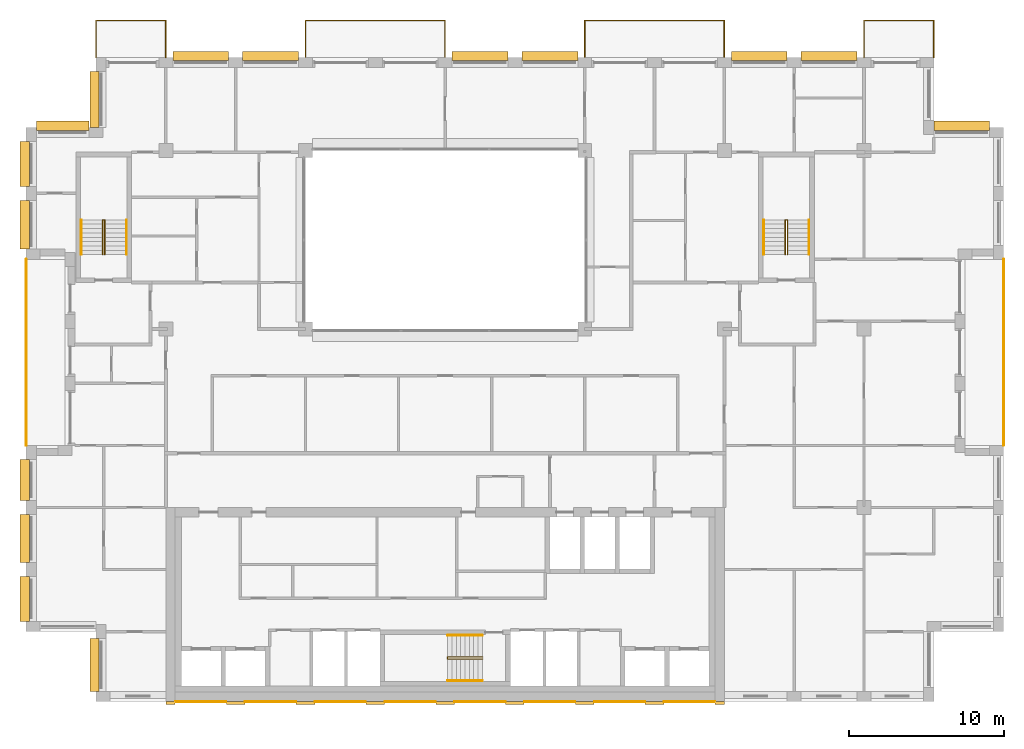
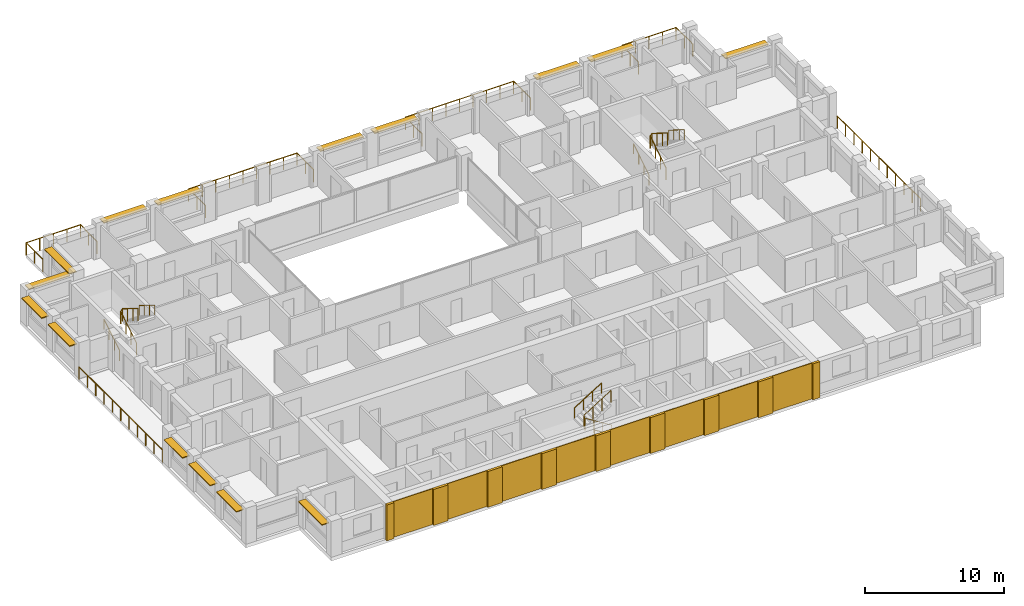
# One storey, part 16 of 16: 17 coverings, 15 railings, 15 shading devices.
"""IFC4 building model written with IfcOpenShell, lengths in metres."""

import ifcopenshell
import ifcopenshell.guid

model = None  # the IFC model being written
_history = None  # IfcOwnerHistory: only IFC2X3 demands one
_inside = {}  # id of a spatial element -> (the spatial element, [elements in it])
_under = {}  # id of a project, library or spatial element -> (it, [spatial elements below it])
_declared = {}  # id of a project -> (the project, [libraries it declares])
_typed = {}  # id of a type object -> (the type object, [elements of that type])
_made_of = {}  # id of a material, layer set ... -> (it, [elements and type objects made of it])


def new_model(schema):
    """Start an empty IFC model of exactly this schema.

    Asked for "IFC4X3", IfcOpenShell would pick the latest addendum, in which some entities
    have other attributes; the version numbers below select the first issue.
    IFC2X3 requires an IfcOwnerHistory on every rooted entity: one is made here for all.
    """
    global model, _history
    if schema == "IFC4X3":
        model = ifcopenshell.file(schema_version=(4, 3, 0, 0))
    else:
        model = ifcopenshell.file(schema=schema)
    _inside.clear()
    _under.clear()
    _declared.clear()
    _typed.clear()
    _made_of.clear()
    _history = None
    if model.schema == "IFC2X3":
        org = make("IfcOrganization", Name="unknown")
        user = make(
            "IfcPersonAndOrganization",
            ThePerson=make("IfcPerson", FamilyName="unknown"),
            TheOrganization=org,
        )
        app = make(
            "IfcApplication",
            ApplicationDeveloper=org,
            Version="unknown",
            ApplicationFullName="unknown",
            ApplicationIdentifier="unknown",
        )
        _history = make(
            "IfcOwnerHistory",
            OwningUser=user,
            OwningApplication=app,
            ChangeAction="ADDED",
            CreationDate=0,
        )
    return model


def make(cls, **values):
    """One entity of the class cls with the attributes given. An attribute that is None is left unset."""
    return model.create_entity(
        cls, **{name: value for name, value in values.items() if value is not None}
    )


def rooted(cls, **values):
    """An entity with a GlobalId (a new one), such as an element, a storey or a relation."""
    return make(cls, GlobalId=ifcopenshell.guid.new(), OwnerHistory=_history, **values)


def si_unit(unit_type, name, prefix=None):
    """IfcSIUnit, for example si_unit("LENGTHUNIT", "METRE", prefix="MILLI")."""
    return make("IfcSIUnit", UnitType=unit_type, Prefix=prefix, Name=name)


def assignment(units):
    """IfcUnitAssignment: the units of a project."""
    return None if units is None else make("IfcUnitAssignment", Units=units)


def point(xyz):
    """IfcCartesianPoint."""
    return None if xyz is None else make("IfcCartesianPoint", Coordinates=xyz)


def direction(xyz):
    """IfcDirection."""
    return None if xyz is None else make("IfcDirection", DirectionRatios=xyz)


def frame(location, z_axis=None, x_axis=None):
    """IfcAxis2Placement3D, a coordinate frame: its origin and axes. An axis left out is left unset."""
    return make(
        "IfcAxis2Placement3D",
        Location=point(location),
        Axis=direction(z_axis),
        RefDirection=direction(x_axis),
    )


def frame_2d(location, x_axis=None):
    """IfcAxis2Placement2D, a coordinate frame in the plane: its origin and x axis."""
    return make(
        "IfcAxis2Placement2D", Location=point(location), RefDirection=direction(x_axis)
    )


def origin():
    """The frame at (0, 0, 0) with its axes left unset."""
    return frame((0.0, 0.0, 0.0))


def origin_2d():
    """The frame at (0, 0) in the plane with its x axis left unset."""
    return frame_2d((0.0, 0.0))


def place(relative_to, where):
    """IfcLocalPlacement: puts the frame where relative to a parent placement (None: the world)."""
    return make(
        "IfcLocalPlacement", PlacementRelTo=relative_to, RelativePlacement=where
    )


def context(
    kind, dimensions, precision=None, world=None, true_north=None, identifier=None
):
    """IfcGeometricRepresentationContext, for example the 3D "Model" context."""
    return make(
        "IfcGeometricRepresentationContext",
        ContextIdentifier=identifier,
        ContextType=kind,
        CoordinateSpaceDimension=dimensions,
        Precision=precision,
        WorldCoordinateSystem=world,
        TrueNorth=true_north,
    )


def subcontext(parent, identifier, kind, view, scale=None):
    """IfcGeometricRepresentationSubContext, for example "Body" below "Model"."""
    return make(
        "IfcGeometricRepresentationSubContext",
        ContextIdentifier=identifier,
        ContextType=kind,
        ParentContext=parent,
        TargetScale=scale,
        TargetView=view,
    )


def project(units=None, contexts=None):
    """IfcProject with its units and contexts."""
    return rooted(
        "IfcProject",
        Name="project",
        RepresentationContexts=contexts,
        UnitsInContext=assignment(units),
    )


def spatial(cls, under=None, at=None, **own):
    """A site, building, storey or space (cls), placed at a placement, below another one or the project."""
    s = rooted(cls, ObjectPlacement=at, **own)
    if under is not None:
        _under.setdefault(under.id(), (under, []))[1].append(s)
    return s


def profile(cls, at=None, kind="AREA", **sizes):
    """A parametric profile (cls). Its sizes go by their IFC names, for example OverallWidth=200.0."""
    return make(cls, ProfileType=kind, Position=at, **sizes)


def rectangle(**sizes):
    """IfcRectangleProfileDef."""
    return profile("IfcRectangleProfileDef", **sizes)


def circle(**sizes):
    """IfcCircleProfileDef."""
    return profile("IfcCircleProfileDef", **sizes)


def extrude(swept, where, along, depth):
    """IfcExtrudedAreaSolid: the profile swept, set in the frame where, extruded along a direction by depth."""
    return make(
        "IfcExtrudedAreaSolid",
        SweptArea=swept,
        Position=where,
        ExtrudedDirection=direction(along),
        Depth=depth,
    )


def shape(context_of_items, identifier, shape_type, items):
    """IfcShapeRepresentation: the items that make up one representation, for example the "Body"."""
    return make(
        "IfcShapeRepresentation",
        ContextOfItems=context_of_items,
        RepresentationIdentifier=identifier,
        RepresentationType=shape_type,
        Items=items,
    )


def material(Name=None, Category=None):
    """IfcMaterial."""
    return make("IfcMaterial", Name=Name, Category=Category)


def layer(
    of_material, thickness, ventilated=None, Name=None, Category=None, Priority=None
):
    """IfcMaterialLayer: one layer of a wall or slab, of a material (None: an air gap)."""
    return make(
        "IfcMaterialLayer",
        Material=of_material,
        LayerThickness=thickness,
        IsVentilated=ventilated,
        Name=Name,
        Category=Category,
        Priority=Priority,
    )


def layer_set(layers, Name=None):
    """IfcMaterialLayerSet."""
    return make("IfcMaterialLayerSet", MaterialLayers=layers, LayerSetName=Name)


def made_of(thing, what):
    """Note that an element or type object is made of a material, layer set ...; save() writes the relation."""
    if what is not None:
        _made_of.setdefault(what.id(), (what, []))[1].append(thing)
    return thing


def type_object(cls, material=None, **own):
    """A type object (cls), such as IfcWallType, which elements share."""
    return made_of(rooted(cls, **own), material)


def element(
    cls,
    number,
    at=None,
    inside=None,
    cuts=None,
    type_object=None,
    material=None,
    context=None,
    identifier="Body",
    shape_type=None,
    held_by="IfcProductDefinitionShape",
    body=None,
    shapes=None,
    **own,
):
    """One element of the class cls, such as IfcWall. Its Tag is "e" and its number.

    at: its placement. inside: the storey or other place that contains it. cuts: it is an
    opening in that element (IfcRelVoidsElement). A single representation is given by context,
    identifier, shape_type and body (its items); several are given by shapes. held_by: the class
    of the entity that holds the representations. save() writes the other relations.
    """
    e = rooted(cls, Tag="e%d" % number, ObjectPlacement=at, **own)
    if body is not None:
        shapes = [shape(context, identifier, shape_type, body)]
    if shapes is not None:
        e.Representation = make(held_by, Representations=shapes)
    if inside is not None:
        _inside.setdefault(inside.id(), (inside, []))[1].append(e)
    if cuts is not None:
        rooted(
            "IfcRelVoidsElement", RelatingBuildingElement=cuts, RelatedOpeningElement=e
        )
    if type_object is not None:
        _typed.setdefault(type_object.id(), (type_object, []))[1].append(e)
    return made_of(e, material)


def aggregate(whole, parts):
    """IfcRelAggregates: a whole, such as a stair, and the parts it consists of."""
    return rooted("IfcRelAggregates", RelatingObject=whole, RelatedObjects=parts)


def save(model, path):
    """Write the relations noted so far, then the file.

    IfcRelAggregates (storeys below a building ...), IfcRelContainedInSpatialStructure (elements
    in a storey), IfcRelDefinesByType, IfcRelAssociatesMaterial and IfcRelDeclares: one each for
    every whole, place, type object, material and project.
    """
    for whole, parts in _under.values():
        aggregate(whole, parts)
    for where, things in _inside.values():
        rooted(
            "IfcRelContainedInSpatialStructure",
            RelatedElements=things,
            RelatingStructure=where,
        )
    for kind, things in _typed.values():
        rooted("IfcRelDefinesByType", RelatedObjects=things, RelatingType=kind)
    for what, things in _made_of.values():
        rooted("IfcRelAssociatesMaterial", RelatedObjects=things, RelatingMaterial=what)
    for by, libraries in _declared.values():
        rooted("IfcRelDeclares", RelatingContext=by, RelatedDefinitions=libraries)
    model.write(path)


model = new_model("IFC4")

# Units and contexts
model_context = context("Model", 3, precision=1e-05, world=origin(), true_north=direction((0.0, 1.0)))
body_context = subcontext(model_context, "Body", "Model", "MODEL_VIEW")
ifc_project = project(units=[si_unit("LENGTHUNIT", "METRE"), si_unit("AREAUNIT", "SQUARE_METRE"), si_unit("VOLUMEUNIT", "CUBIC_METRE"), si_unit("PLANEANGLEUNIT", "RADIAN"), si_unit("MASSUNIT", "GRAM", prefix="KILO")], contexts=[model_context])

# Site, building, storey
site_placement = place(None, origin())
site = spatial("IfcSite", under=ifc_project, at=site_placement, CompositionType="ELEMENT")
building_placement = place(site_placement, origin())
building = spatial("IfcBuilding", under=site, at=building_placement, Name="Brigalow Station Residences", CompositionType="ELEMENT")
storey_placement = place(building_placement, frame((0.0, 0.0, 198.0)))
storey = spatial("IfcBuildingStorey", under=building, at=storey_placement, Name="L56", CompositionType="ELEMENT", Elevation=198.0)

# Railings
ifc_material_1 = material(Name="Stainless steel balustrade with laminated glass infill", Category="steel")
railing_type_1 = type_object("IfcRailingType", Name="BALCONY GUARD 1100", PredefinedType="GUARDRAIL", material=ifc_material_1)
railing_1_placement = place(storey_placement, frame((72.0, 16.5, -0.0400390625)))
element("IfcRailing", 1, at=railing_1_placement, inside=storey, type_object=railing_type_1, Name="L56/balcony-guard/1", PredefinedType="GUARDRAIL", context=body_context, shape_type="SweptSolid", body=[
    extrude(circle(Radius=0.02392578125, at=origin_2d()), frame((0.0, 0.0, 1.076171875), z_axis=(0.0, 1.0, 0.0), x_axis=(-1.0, 0.0, 0.0)), (0.0, 0.0, 1.0), 12.0),
    extrude(circle(Radius=0.02099609375, at=origin_2d()), origin(), (0.0, 0.0, 1.0), 1.052001953125),
    extrude(circle(Radius=0.02099609375, at=origin_2d()), frame((0.0, 1.199951171875, 0.0)), (0.0, 0.0, 1.0), 1.052001953125),
    extrude(circle(Radius=0.02099609375, at=origin_2d()), frame((0.0, 2.39990234375, 0.0)), (0.0, 0.0, 1.0), 1.052001953125),
    extrude(circle(Radius=0.02099609375, at=origin_2d()), frame((0.0, 3.60009765625, 0.0)), (0.0, 0.0, 1.0), 1.052001953125),
    extrude(circle(Radius=0.02099609375, at=origin_2d()), frame((0.0, 4.800048828125, 0.0)), (0.0, 0.0, 1.0), 1.052001953125),
    extrude(circle(Radius=0.02099609375, at=origin_2d()), frame((0.0, 6.0, 0.0)), (0.0, 0.0, 1.0), 1.052001953125),
    extrude(circle(Radius=0.02099609375, at=origin_2d()), frame((0.0, 7.199951171875, 0.0)), (0.0, 0.0, 1.0), 1.052001953125),
    extrude(circle(Radius=0.02099609375, at=origin_2d()), frame((0.0, 8.39990234375, 0.0)), (0.0, 0.0, 1.0), 1.052001953125),
    extrude(circle(Radius=0.02099609375, at=origin_2d()), frame((0.0, 9.60009765625, 0.0)), (0.0, 0.0, 1.0), 1.052001953125),
    extrude(circle(Radius=0.02099609375, at=origin_2d()), frame((0.0, 10.800048828125, 0.0)), (0.0, 0.0, 1.0), 1.052001953125),
    extrude(circle(Radius=0.02099609375, at=origin_2d()), frame((0.0, 12.0, 0.0)), (0.0, 0.0, 1.0), 1.052001953125),
])
railing_2_placement = place(storey_placement, frame((67.5, 41.5, -0.0400390625)))
element("IfcRailing", 2, at=railing_2_placement, inside=storey, type_object=railing_type_1, Name="L56/balcony-guard/2", PredefinedType="GUARDRAIL", context=body_context, shape_type="SweptSolid", body=[
    extrude(circle(Radius=0.02392578125, at=origin_2d()), frame((0.0, 0.0, 1.076171875), z_axis=(0.0, 1.0, 0.0), x_axis=(-1.0, 0.0, 0.0)), (0.0, 0.0, 1.0), 2.39990234375),
    extrude(circle(Radius=0.02392578125, at=origin_2d()), frame((0.0, 2.39990234375, 1.076171875), z_axis=(-1.0, 0.0, 0.0), x_axis=(0.0, -1.0, 0.0)), (0.0, 0.0, 1.0), 4.5),
    extrude(circle(Radius=0.02392578125, at=origin_2d()), frame((-4.5, 2.39990234375, 1.076171875), z_axis=(0.0, -1.0, 0.0), x_axis=(1.0, 0.0, 0.0)), (0.0, 0.0, 1.0), 2.39990234375),
    extrude(circle(Radius=0.02099609375, at=origin_2d()), origin(), (0.0, 0.0, 1.0), 1.052001953125),
    extrude(circle(Radius=0.02099609375, at=origin_2d()), frame((0.0, 1.199951171875, 0.0)), (0.0, 0.0, 1.0), 1.052001953125),
    extrude(circle(Radius=0.02099609375, at=origin_2d()), frame((0.0, 2.39990234375, 0.0)), (0.0, 0.0, 1.0), 1.052001953125),
    extrude(circle(Radius=0.02099609375, at=origin_2d()), frame((-1.125, 2.39990234375, 0.0)), (0.0, 0.0, 1.0), 1.052001953125),
    extrude(circle(Radius=0.02099609375, at=origin_2d()), frame((-2.25, 2.39990234375, 0.0)), (0.0, 0.0, 1.0), 1.052001953125),
    extrude(circle(Radius=0.02099609375, at=origin_2d()), frame((-3.375, 2.39990234375, 0.0)), (0.0, 0.0, 1.0), 1.052001953125),
    extrude(circle(Radius=0.02099609375, at=origin_2d()), frame((-4.5, 2.39990234375, 0.0)), (0.0, 0.0, 1.0), 1.052001953125),
    extrude(circle(Radius=0.02099609375, at=origin_2d()), frame((-4.5, 1.199951171875, 0.0)), (0.0, 0.0, 1.0), 1.052001953125),
    extrude(circle(Radius=0.02099609375, at=origin_2d()), frame((-4.5, 0.0, 0.0)), (0.0, 0.0, 1.0), 1.052001953125),
])
railing_3_placement = place(storey_placement, frame((54.0, 41.5, -0.0400390625)))
element("IfcRailing", 3, at=railing_3_placement, inside=storey, type_object=railing_type_1, Name="L56/balcony-guard/3", PredefinedType="GUARDRAIL", context=body_context, shape_type="SweptSolid", body=[
    extrude(circle(Radius=0.02392578125, at=origin_2d()), frame((0.0, 0.0, 1.076171875), z_axis=(0.0, 1.0, 0.0), x_axis=(-1.0, 0.0, 0.0)), (0.0, 0.0, 1.0), 2.39990234375),
    extrude(circle(Radius=0.02392578125, at=origin_2d()), frame((0.0, 2.39990234375, 1.076171875), z_axis=(-1.0, 0.0, 0.0), x_axis=(0.0, -1.0, 0.0)), (0.0, 0.0, 1.0), 9.0),
    extrude(circle(Radius=0.02392578125, at=origin_2d()), frame((-9.0, 2.39990234375, 1.076171875), z_axis=(0.0, -1.0, 0.0), x_axis=(1.0, 0.0, 0.0)), (0.0, 0.0, 1.0), 2.39990234375),
    extrude(circle(Radius=0.02099609375, at=origin_2d()), origin(), (0.0, 0.0, 1.0), 1.052001953125),
    extrude(circle(Radius=0.02099609375, at=origin_2d()), frame((0.0, 1.199951171875, 0.0)), (0.0, 0.0, 1.0), 1.052001953125),
    extrude(circle(Radius=0.02099609375, at=origin_2d()), frame((0.0, 2.39990234375, 0.0)), (0.0, 0.0, 1.0), 1.052001953125),
    extrude(circle(Radius=0.02099609375, at=origin_2d()), frame((-1.125, 2.39990234375, 0.0)), (0.0, 0.0, 1.0), 1.052001953125),
    extrude(circle(Radius=0.02099609375, at=origin_2d()), frame((-2.25, 2.39990234375, 0.0)), (0.0, 0.0, 1.0), 1.052001953125),
    extrude(circle(Radius=0.02099609375, at=origin_2d()), frame((-3.375, 2.39990234375, 0.0)), (0.0, 0.0, 1.0), 1.052001953125),
    extrude(circle(Radius=0.02099609375, at=origin_2d()), frame((-4.5, 2.39990234375, 0.0)), (0.0, 0.0, 1.0), 1.052001953125),
    extrude(circle(Radius=0.02099609375, at=origin_2d()), frame((-5.625, 2.39990234375, 0.0)), (0.0, 0.0, 1.0), 1.052001953125),
    extrude(circle(Radius=0.02099609375, at=origin_2d()), frame((-6.75, 2.39990234375, 0.0)), (0.0, 0.0, 1.0), 1.052001953125),
    extrude(circle(Radius=0.02099609375, at=origin_2d()), frame((-7.875, 2.39990234375, 0.0)), (0.0, 0.0, 1.0), 1.052001953125),
    extrude(circle(Radius=0.02099609375, at=origin_2d()), frame((-9.0, 2.39990234375, 0.0)), (0.0, 0.0, 1.0), 1.052001953125),
    extrude(circle(Radius=0.02099609375, at=origin_2d()), frame((-9.0, 1.199951171875, 0.0)), (0.0, 0.0, 1.0), 1.052001953125),
    extrude(circle(Radius=0.02099609375, at=origin_2d()), frame((-9.0, 0.0, 0.0)), (0.0, 0.0, 1.0), 1.052001953125),
])
railing_4_placement = place(storey_placement, frame((36.0, 41.5, -0.0400390625)))
element("IfcRailing", 4, at=railing_4_placement, inside=storey, type_object=railing_type_1, Name="L56/balcony-guard/4", PredefinedType="GUARDRAIL", context=body_context, shape_type="SweptSolid", body=[
    extrude(circle(Radius=0.02392578125, at=origin_2d()), frame((0.0, 0.0, 1.076171875), z_axis=(0.0, 1.0, 0.0), x_axis=(-1.0, 0.0, 0.0)), (0.0, 0.0, 1.0), 2.39990234375),
    extrude(circle(Radius=0.02392578125, at=origin_2d()), frame((0.0, 2.39990234375, 1.076171875), z_axis=(-1.0, 0.0, 0.0), x_axis=(0.0, -1.0, 0.0)), (0.0, 0.0, 1.0), 9.0),
    extrude(circle(Radius=0.02392578125, at=origin_2d()), frame((-9.0, 2.39990234375, 1.076171875), z_axis=(0.0, -1.0, 0.0), x_axis=(1.0, 0.0, 0.0)), (0.0, 0.0, 1.0), 2.39990234375),
    extrude(circle(Radius=0.02099609375, at=origin_2d()), origin(), (0.0, 0.0, 1.0), 1.052001953125),
    extrude(circle(Radius=0.02099609375, at=origin_2d()), frame((0.0, 1.199951171875, 0.0)), (0.0, 0.0, 1.0), 1.052001953125),
    extrude(circle(Radius=0.02099609375, at=origin_2d()), frame((0.0, 2.39990234375, 0.0)), (0.0, 0.0, 1.0), 1.052001953125),
    extrude(circle(Radius=0.02099609375, at=origin_2d()), frame((-1.125, 2.39990234375, 0.0)), (0.0, 0.0, 1.0), 1.052001953125),
    extrude(circle(Radius=0.02099609375, at=origin_2d()), frame((-2.25, 2.39990234375, 0.0)), (0.0, 0.0, 1.0), 1.052001953125),
    extrude(circle(Radius=0.02099609375, at=origin_2d()), frame((-3.375, 2.39990234375, 0.0)), (0.0, 0.0, 1.0), 1.052001953125),
    extrude(circle(Radius=0.02099609375, at=origin_2d()), frame((-4.5, 2.39990234375, 0.0)), (0.0, 0.0, 1.0), 1.052001953125),
    extrude(circle(Radius=0.02099609375, at=origin_2d()), frame((-5.625, 2.39990234375, 0.0)), (0.0, 0.0, 1.0), 1.052001953125),
    extrude(circle(Radius=0.02099609375, at=origin_2d()), frame((-6.75, 2.39990234375, 0.0)), (0.0, 0.0, 1.0), 1.052001953125),
    extrude(circle(Radius=0.02099609375, at=origin_2d()), frame((-7.875, 2.39990234375, 0.0)), (0.0, 0.0, 1.0), 1.052001953125),
    extrude(circle(Radius=0.02099609375, at=origin_2d()), frame((-9.0, 2.39990234375, 0.0)), (0.0, 0.0, 1.0), 1.052001953125),
    extrude(circle(Radius=0.02099609375, at=origin_2d()), frame((-9.0, 1.199951171875, 0.0)), (0.0, 0.0, 1.0), 1.052001953125),
    extrude(circle(Radius=0.02099609375, at=origin_2d()), frame((-9.0, 0.0, 0.0)), (0.0, 0.0, 1.0), 1.052001953125),
])
railing_5_placement = place(storey_placement, frame((18.0, 41.5, -0.0400390625)))
element("IfcRailing", 5, at=railing_5_placement, inside=storey, type_object=railing_type_1, Name="L56/balcony-guard/5", PredefinedType="GUARDRAIL", context=body_context, shape_type="SweptSolid", body=[
    extrude(circle(Radius=0.02392578125, at=origin_2d()), frame((0.0, 0.0, 1.076171875), z_axis=(0.0, 1.0, 0.0), x_axis=(-1.0, 0.0, 0.0)), (0.0, 0.0, 1.0), 2.39990234375),
    extrude(circle(Radius=0.02392578125, at=origin_2d()), frame((0.0, 2.39990234375, 1.076171875), z_axis=(-1.0, 0.0, 0.0), x_axis=(0.0, -1.0, 0.0)), (0.0, 0.0, 1.0), 4.5),
    extrude(circle(Radius=0.02392578125, at=origin_2d()), frame((-4.5, 2.39990234375, 1.076171875), z_axis=(0.0, -1.0, 0.0), x_axis=(1.0, 0.0, 0.0)), (0.0, 0.0, 1.0), 2.39990234375),
    extrude(circle(Radius=0.02099609375, at=origin_2d()), origin(), (0.0, 0.0, 1.0), 1.052001953125),
    extrude(circle(Radius=0.02099609375, at=origin_2d()), frame((0.0, 1.199951171875, 0.0)), (0.0, 0.0, 1.0), 1.052001953125),
    extrude(circle(Radius=0.02099609375, at=origin_2d()), frame((0.0, 2.39990234375, 0.0)), (0.0, 0.0, 1.0), 1.052001953125),
    extrude(circle(Radius=0.02099609375, at=origin_2d()), frame((-1.125, 2.39990234375, 0.0)), (0.0, 0.0, 1.0), 1.052001953125),
    extrude(circle(Radius=0.02099609375, at=origin_2d()), frame((-2.25, 2.39990234375, 0.0)), (0.0, 0.0, 1.0), 1.052001953125),
    extrude(circle(Radius=0.02099609375, at=origin_2d()), frame((-3.375, 2.39990234375, 0.0)), (0.0, 0.0, 1.0), 1.052001953125),
    extrude(circle(Radius=0.02099609375, at=origin_2d()), frame((-4.5, 2.39990234375, 0.0)), (0.0, 0.0, 1.0), 1.052001953125),
    extrude(circle(Radius=0.02099609375, at=origin_2d()), frame((-4.5, 1.199951171875, 0.0)), (0.0, 0.0, 1.0), 1.052001953125),
    extrude(circle(Radius=0.02099609375, at=origin_2d()), frame((-4.5, 0.0, 0.0)), (0.0, 0.0, 1.0), 1.052001953125),
])
railing_6_placement = place(storey_placement, frame((9.0, 28.5, -0.0400390625)))
element("IfcRailing", 6, at=railing_6_placement, inside=storey, type_object=railing_type_1, Name="L56/balcony-guard/6", PredefinedType="GUARDRAIL", context=body_context, shape_type="SweptSolid", body=[
    extrude(circle(Radius=0.02392578125, at=origin_2d()), frame((0.0, 0.0, 1.076171875), z_axis=(0.0, -1.0, 0.0), x_axis=(1.0, 0.0, 0.0)), (0.0, 0.0, 1.0), 12.0),
    extrude(circle(Radius=0.02099609375, at=origin_2d()), origin(), (0.0, 0.0, 1.0), 1.052001953125),
    extrude(circle(Radius=0.02099609375, at=origin_2d()), frame((0.0, -1.199951171875, 0.0)), (0.0, 0.0, 1.0), 1.052001953125),
    extrude(circle(Radius=0.02099609375, at=origin_2d()), frame((0.0, -2.39990234375, 0.0)), (0.0, 0.0, 1.0), 1.052001953125),
    extrude(circle(Radius=0.02099609375, at=origin_2d()), frame((0.0, -3.60009765625, 0.0)), (0.0, 0.0, 1.0), 1.052001953125),
    extrude(circle(Radius=0.02099609375, at=origin_2d()), frame((0.0, -4.800048828125, 0.0)), (0.0, 0.0, 1.0), 1.052001953125),
    extrude(circle(Radius=0.02099609375, at=origin_2d()), frame((0.0, -6.0, 0.0)), (0.0, 0.0, 1.0), 1.052001953125),
    extrude(circle(Radius=0.02099609375, at=origin_2d()), frame((0.0, -7.199951171875, 0.0)), (0.0, 0.0, 1.0), 1.052001953125),
    extrude(circle(Radius=0.02099609375, at=origin_2d()), frame((0.0, -8.39990234375, 0.0)), (0.0, 0.0, 1.0), 1.052001953125),
    extrude(circle(Radius=0.02099609375, at=origin_2d()), frame((0.0, -9.60009765625, 0.0)), (0.0, 0.0, 1.0), 1.052001953125),
    extrude(circle(Radius=0.02099609375, at=origin_2d()), frame((0.0, -10.800048828125, 0.0)), (0.0, 0.0, 1.0), 1.052001953125),
    extrude(circle(Radius=0.02099609375, at=origin_2d()), frame((0.0, -12.0, 0.0)), (0.0, 0.0, 1.0), 1.052001953125),
])

# Coverings
ifc_material_2 = material(Name="Clay brick masonry", Category="masonry")
ifc_layer_1 = layer(ifc_material_2, 0.06005859375)
ifc_layer_set_1 = layer_set([ifc_layer_1], Name="BRICK PANEL FACING 60")
covering_type_1 = type_object("IfcCoveringType", Name="BRICK PANEL FACING 60", PredefinedType="CLADDING", material=ifc_layer_set_1)
for number, where, z_axis, x_axis, name in (
    (7, (20.25, -0.030029296875, 0.0), (0.0, 0.0, 1.0), (1.0, 0.0, 0.0), "L56/rear-facing/panel-1"),
    (8, (24.75, -0.030029296875, 0.0), (0.0, 0.0, 1.0), (1.0, 0.0, 0.0), "L56/rear-facing/panel-2"),
    (9, (29.25, -0.030029296875, 0.0), (0.0, 0.0, 1.0), (1.0, 0.0, 0.0), "L56/rear-facing/panel-3"),
    (10, (33.75, -0.030029296875, 0.0), (0.0, 0.0, 1.0), (1.0, 0.0, 0.0), "L56/rear-facing/panel-4"),
    (11, (38.25, -0.030029296875, 0.0), (0.0, 0.0, 1.0), (1.0, 0.0, 0.0), "L56/rear-facing/panel-5"),
    (12, (42.75, -0.030029296875, 0.0), (0.0, 0.0, 1.0), (1.0, 0.0, 0.0), "L56/rear-facing/panel-6"),
    (13, (47.25, -0.030029296875, 0.0), (0.0, 0.0, 1.0), (1.0, 0.0, 0.0), "L56/rear-facing/panel-7"),
    (14, (51.75, -0.030029296875, 0.0), (0.0, 0.0, 1.0), (1.0, 0.0, 0.0), "L56/rear-facing/panel-8"),
):
    element("IfcCovering", number, at=place(storey_placement, frame(where, z_axis=z_axis, x_axis=x_axis)), inside=storey, type_object=covering_type_1, Name=name, PredefinedType="CLADDING", context=body_context, shape_type="SweptSolid", body=[
        extrude(rectangle(XDim=3.300048828125, YDim=0.06005859375, at=origin_2d()), origin(), (0.0, 0.0, 1.0), 3.14990234375),
    ])
ifc_material_3 = material(Name="Clay brick masonry", Category="masonry")
ifc_layer_2 = layer(ifc_material_3, 0.199951171875)
ifc_layer_set_2 = layer_set([ifc_layer_2], Name="BRICK PIER FACING 200")
covering_type_2 = type_object("IfcCoveringType", Name="BRICK PIER FACING 200", PredefinedType="CLADDING", material=ifc_layer_set_2)
covering_1_placement = place(storey_placement, frame((18.300048828125, -0.10009765625, 0.0), z_axis=(0.0, 0.0, 1.0), x_axis=(1.0, 0.0, 0.0)))
element("IfcCovering", 15, at=covering_1_placement, inside=storey, type_object=covering_type_2, Name="L56/rear-facing/pier-1", PredefinedType="CLADDING", context=body_context, shape_type="SweptSolid", body=[
    extrude(rectangle(XDim=0.60009765625, YDim=0.199951171875, at=origin_2d()), origin(), (0.0, 0.0, 1.0), 3.14990234375),
])
for number, where, z_axis, x_axis, name in (
    (16, (22.5, -0.10009765625, 0.0), (0.0, 0.0, 1.0), (1.0, 0.0, 0.0), "L56/rear-facing/pier-2"),
    (17, (27.0, -0.10009765625, 0.0), (0.0, 0.0, 1.0), (1.0, 0.0, 0.0), "L56/rear-facing/pier-3"),
    (18, (31.5, -0.10009765625, 0.0), (0.0, 0.0, 1.0), (1.0, 0.0, 0.0), "L56/rear-facing/pier-4"),
    (19, (36.0, -0.10009765625, 0.0), (0.0, 0.0, 1.0), (1.0, 0.0, 0.0), "L56/rear-facing/pier-5"),
    (20, (40.5, -0.10009765625, 0.0), (0.0, 0.0, 1.0), (1.0, 0.0, 0.0), "L56/rear-facing/pier-6"),
    (21, (45.0, -0.10009765625, 0.0), (0.0, 0.0, 1.0), (1.0, 0.0, 0.0), "L56/rear-facing/pier-7"),
    (22, (49.5, -0.10009765625, 0.0), (0.0, 0.0, 1.0), (1.0, 0.0, 0.0), "L56/rear-facing/pier-8"),
):
    element("IfcCovering", number, at=place(storey_placement, frame(where, z_axis=z_axis, x_axis=x_axis)), inside=storey, type_object=covering_type_2, Name=name, PredefinedType="CLADDING", context=body_context, shape_type="SweptSolid", body=[
        extrude(rectangle(XDim=1.199951171875, YDim=0.199951171875, at=origin_2d()), origin(), (0.0, 0.0, 1.0), 3.14990234375),
    ])
covering_2_placement = place(storey_placement, frame((53.699951171875, -0.10009765625, 0.0), z_axis=(0.0, 0.0, 1.0), x_axis=(1.0, 0.0, 0.0)))
element("IfcCovering", 23, at=covering_2_placement, inside=storey, type_object=covering_type_2, Name="L56/rear-facing/pier-9", PredefinedType="CLADDING", context=body_context, shape_type="SweptSolid", body=[
    extrude(rectangle(XDim=0.60009765625, YDim=0.199951171875, at=origin_2d()), origin(), (0.0, 0.0, 1.0), 3.14990234375),
])

# Railings
ifc_material_4 = material(Name="Stainless steel balustrade", Category="steel")
railing_type_2 = type_object("IfcRailingType", Name="STAIR GUARD 1100", PredefinedType="GUARDRAIL", material=ifc_material_4)
railing_7_placement = place(storey_placement, frame((38.39990234375, 2.72998046875, 0.175048828125)))
element("IfcRailing", 24, at=railing_7_placement, inside=storey, type_object=railing_type_2, Name="GUARD GR-2", PredefinedType="GUARDRAIL", context=body_context, shape_type="SweptSolid", body=[
    extrude(circle(Radius=0.02392578125, at=origin_2d()), frame((0.0, 0.0, 1.076171875), z_axis=(-0.848013881152, 0.0, 0.529974015752), x_axis=(0.0, -1.0, 0.0)), (0.0, 0.0, 1.0), 2.641357421875),
    extrude(circle(Radius=0.02392578125, at=origin_2d()), frame((-2.239990234375, 0.0, 2.47607421875), z_axis=(0.0, 0.624960567888, 0.780656319122), x_axis=(-1.0, 0.0, 0.0)), (0.0, 0.0, 1.0), 0.22412109375),
    extrude(circle(Radius=0.02392578125, at=origin_2d()), frame((-2.239990234375, 0.14013671875, 2.65087890625), z_axis=(0.848013881152, 0.0, 0.529974015752), x_axis=(0.0, 1.0, 0.0)), (0.0, 0.0, 1.0), 2.641357421875),
    extrude(circle(Radius=0.02099609375, at=origin_2d()), origin(), (0.0, 0.0, 1.0), 1.052001953125),
    extrude(circle(Radius=0.02099609375, at=origin_2d()), frame((-0.74658203125, 0.0, 0.466552734375)), (0.0, 0.0, 1.0), 1.052001953125),
    extrude(circle(Radius=0.02099609375, at=origin_2d()), frame((-1.493408203125, 0.0, 0.933349609375)), (0.0, 0.0, 1.0), 1.052001953125),
    extrude(circle(Radius=0.02099609375, at=origin_2d()), frame((-2.239990234375, 0.0, 1.39990234375)), (0.0, 0.0, 1.0), 1.052001953125),
    extrude(circle(Radius=0.02099609375, at=origin_2d()), frame((-2.239990234375, 0.14013671875, 1.574951171875)), (0.0, 0.0, 1.0), 1.052001953125),
    extrude(circle(Radius=0.02099609375, at=origin_2d()), frame((-1.493408203125, 0.14013671875, 2.04150390625)), (0.0, 0.0, 1.0), 1.052001953125),
    extrude(circle(Radius=0.02099609375, at=origin_2d()), frame((-0.74658203125, 0.14013671875, 2.50830078125)), (0.0, 0.0, 1.0), 1.052001953125),
    extrude(circle(Radius=0.02099609375, at=origin_2d()), frame((0.0, 0.14013671875, 2.974853515625)), (0.0, 0.0, 1.0), 1.052001953125),
])
for number, where, name in (
    (25, (13.929931640625, 28.800048828125, 0.175048828125), "GUARD GR-1"),
    (26, (57.929931640625, 28.800048828125, 0.175048828125), "GUARD GR-3"),
):
    element("IfcRailing", number, at=place(storey_placement, frame(where)), inside=storey, type_object=railing_type_2, Name=name, PredefinedType="GUARDRAIL", context=body_context, shape_type="SweptSolid", body=[
        extrude(circle(Radius=0.02392578125, at=origin_2d()), frame((0.0, 0.0, 1.076171875), z_axis=(0.0, 0.848013881152, 0.529974015752), x_axis=(-1.0, 0.0, 0.0)), (0.0, 0.0, 1.0), 2.641357421875),
        extrude(circle(Radius=0.02392578125, at=origin_2d()), frame((0.0, 2.239990234375, 2.47607421875), z_axis=(0.624960567888, 0.0, 0.780656319122), x_axis=(0.0, 1.0, 0.0)), (0.0, 0.0, 1.0), 0.22412109375),
        extrude(circle(Radius=0.02392578125, at=origin_2d()), frame((0.14013671875, 2.239990234375, 2.65087890625), z_axis=(0.0, -0.848013881152, 0.529974015752), x_axis=(1.0, 0.0, 0.0)), (0.0, 0.0, 1.0), 2.641357421875),
        extrude(circle(Radius=0.02099609375, at=origin_2d()), origin(), (0.0, 0.0, 1.0), 1.052001953125),
        extrude(circle(Radius=0.02099609375, at=origin_2d()), frame((0.0, 0.74658203125, 0.466552734375)), (0.0, 0.0, 1.0), 1.052001953125),
        extrude(circle(Radius=0.02099609375, at=origin_2d()), frame((0.0, 1.493408203125, 0.933349609375)), (0.0, 0.0, 1.0), 1.052001953125),
        extrude(circle(Radius=0.02099609375, at=origin_2d()), frame((0.0, 2.239990234375, 1.39990234375)), (0.0, 0.0, 1.0), 1.052001953125),
        extrude(circle(Radius=0.02099609375, at=origin_2d()), frame((0.14013671875, 2.239990234375, 1.574951171875)), (0.0, 0.0, 1.0), 1.052001953125),
        extrude(circle(Radius=0.02099609375, at=origin_2d()), frame((0.14013671875, 1.493408203125, 2.04150390625)), (0.0, 0.0, 1.0), 1.052001953125),
        extrude(circle(Radius=0.02099609375, at=origin_2d()), frame((0.14013671875, 0.74658203125, 2.50830078125)), (0.0, 0.0, 1.0), 1.052001953125),
        extrude(circle(Radius=0.02099609375, at=origin_2d()), frame((0.14013671875, 0.0, 2.974853515625)), (0.0, 0.0, 1.0), 1.052001953125),
    ])
ifc_material_5 = material(Name="Stainless steel handrail", Category="steel")
railing_type_3 = type_object("IfcRailingType", Name="STAIR HANDRAIL 900", PredefinedType="HANDRAIL", material=ifc_material_5)
railing_8_placement = place(storey_placement, frame((38.39990234375, 1.340087890625, 0.175048828125)))
element("IfcRailing", 27, at=railing_8_placement, inside=storey, type_object=railing_type_3, Name="HANDRAIL HR-21", PredefinedType="HANDRAIL", context=body_context, shape_type="SweptSolid", body=[
    extrude(circle(Radius=0.02392578125, at=origin_2d()), frame((0.0, 0.0, 0.8759765625), z_axis=(-0.848013881152, 0.0, 0.529974015752), x_axis=(0.0, -1.0, 0.0)), (0.0, 0.0, 1.0), 2.641357421875),
    extrude(circle(Radius=0.02099609375, at=origin_2d()), origin(), (0.0, 0.0, 1.0), 0.851806640625),
    extrude(circle(Radius=0.02099609375, at=origin_2d()), frame((-0.74658203125, 0.0, 0.466552734375)), (0.0, 0.0, 1.0), 0.851806640625),
    extrude(circle(Radius=0.02099609375, at=origin_2d()), frame((-1.493408203125, 0.0, 0.933349609375)), (0.0, 0.0, 1.0), 0.851806640625),
    extrude(circle(Radius=0.02099609375, at=origin_2d()), frame((-2.239990234375, 0.0, 1.39990234375)), (0.0, 0.0, 1.0), 0.851806640625),
])
railing_9_placement = place(storey_placement, frame((36.159912109375, 4.260009765625, 1.75)))
element("IfcRailing", 28, at=railing_9_placement, inside=storey, type_object=railing_type_3, Name="HANDRAIL HR-22", PredefinedType="HANDRAIL", context=body_context, shape_type="SweptSolid", body=[
    extrude(circle(Radius=0.02392578125, at=origin_2d()), frame((0.0, 0.0, 0.8759765625), z_axis=(0.848013881152, 0.0, 0.529974015752), x_axis=(0.0, 1.0, 0.0)), (0.0, 0.0, 1.0), 2.641357421875),
    extrude(circle(Radius=0.02099609375, at=origin_2d()), origin(), (0.0, 0.0, 1.0), 0.851806640625),
    extrude(circle(Radius=0.02099609375, at=origin_2d()), frame((0.74658203125, 0.0, 0.466552734375)), (0.0, 0.0, 1.0), 0.851806640625),
    extrude(circle(Radius=0.02099609375, at=origin_2d()), frame((1.493408203125, 0.0, 0.933349609375)), (0.0, 0.0, 1.0), 0.851806640625),
    extrude(circle(Radius=0.02099609375, at=origin_2d()), frame((2.239990234375, 0.0, 1.39990234375)), (0.0, 0.0, 1.0), 0.851806640625),
])
railing_10_placement = place(storey_placement, frame((12.5400390625, 28.800048828125, 0.175048828125)))
element("IfcRailing", 29, at=railing_10_placement, inside=storey, type_object=railing_type_3, Name="HANDRAIL HR-11", PredefinedType="HANDRAIL", context=body_context, shape_type="SweptSolid", body=[
    extrude(circle(Radius=0.02392578125, at=origin_2d()), frame((0.0, 0.0, 0.8759765625), z_axis=(0.0, 0.848013881152, 0.529974015752), x_axis=(-1.0, 0.0, 0.0)), (0.0, 0.0, 1.0), 2.641357421875),
    extrude(circle(Radius=0.02099609375, at=origin_2d()), origin(), (0.0, 0.0, 1.0), 0.851806640625),
    extrude(circle(Radius=0.02099609375, at=origin_2d()), frame((0.0, 0.74658203125, 0.466552734375)), (0.0, 0.0, 1.0), 0.851806640625),
    extrude(circle(Radius=0.02099609375, at=origin_2d()), frame((0.0, 1.493408203125, 0.933349609375)), (0.0, 0.0, 1.0), 0.851806640625),
    extrude(circle(Radius=0.02099609375, at=origin_2d()), frame((0.0, 2.239990234375, 1.39990234375)), (0.0, 0.0, 1.0), 0.851806640625),
])
railing_11_placement = place(storey_placement, frame((15.4599609375, 31.0400390625, 1.75)))
element("IfcRailing", 30, at=railing_11_placement, inside=storey, type_object=railing_type_3, Name="HANDRAIL HR-12", PredefinedType="HANDRAIL", context=body_context, shape_type="SweptSolid", body=[
    extrude(circle(Radius=0.02392578125, at=origin_2d()), frame((0.0, 0.0, 0.8759765625), z_axis=(0.0, -0.848013881152, 0.529974015752), x_axis=(1.0, 0.0, 0.0)), (0.0, 0.0, 1.0), 2.641357421875),
    extrude(circle(Radius=0.02099609375, at=origin_2d()), origin(), (0.0, 0.0, 1.0), 0.851806640625),
    extrude(circle(Radius=0.02099609375, at=origin_2d()), frame((0.0, -0.74658203125, 0.466552734375)), (0.0, 0.0, 1.0), 0.851806640625),
    extrude(circle(Radius=0.02099609375, at=origin_2d()), frame((0.0, -1.493408203125, 0.933349609375)), (0.0, 0.0, 1.0), 0.851806640625),
    extrude(circle(Radius=0.02099609375, at=origin_2d()), frame((0.0, -2.239990234375, 1.39990234375)), (0.0, 0.0, 1.0), 0.851806640625),
])
railing_12_placement = place(storey_placement, frame((56.5400390625, 28.800048828125, 0.175048828125)))
element("IfcRailing", 31, at=railing_12_placement, inside=storey, type_object=railing_type_3, Name="HANDRAIL HR-31", PredefinedType="HANDRAIL", context=body_context, shape_type="SweptSolid", body=[
    extrude(circle(Radius=0.02392578125, at=origin_2d()), frame((0.0, 0.0, 0.8759765625), z_axis=(0.0, 0.848013881152, 0.529974015752), x_axis=(-1.0, 0.0, 0.0)), (0.0, 0.0, 1.0), 2.641357421875),
    extrude(circle(Radius=0.02099609375, at=origin_2d()), origin(), (0.0, 0.0, 1.0), 0.851806640625),
    extrude(circle(Radius=0.02099609375, at=origin_2d()), frame((0.0, 0.74658203125, 0.466552734375)), (0.0, 0.0, 1.0), 0.851806640625),
    extrude(circle(Radius=0.02099609375, at=origin_2d()), frame((0.0, 1.493408203125, 0.933349609375)), (0.0, 0.0, 1.0), 0.851806640625),
    extrude(circle(Radius=0.02099609375, at=origin_2d()), frame((0.0, 2.239990234375, 1.39990234375)), (0.0, 0.0, 1.0), 0.851806640625),
])
railing_13_placement = place(storey_placement, frame((59.4599609375, 31.0400390625, 1.75)))
element("IfcRailing", 32, at=railing_13_placement, inside=storey, type_object=railing_type_3, Name="HANDRAIL HR-32", PredefinedType="HANDRAIL", context=body_context, shape_type="SweptSolid", body=[
    extrude(circle(Radius=0.02392578125, at=origin_2d()), frame((0.0, 0.0, 0.8759765625), z_axis=(0.0, -0.848013881152, 0.529974015752), x_axis=(1.0, 0.0, 0.0)), (0.0, 0.0, 1.0), 2.641357421875),
    extrude(circle(Radius=0.02099609375, at=origin_2d()), origin(), (0.0, 0.0, 1.0), 0.851806640625),
    extrude(circle(Radius=0.02099609375, at=origin_2d()), frame((0.0, -0.74658203125, 0.466552734375)), (0.0, 0.0, 1.0), 0.851806640625),
    extrude(circle(Radius=0.02099609375, at=origin_2d()), frame((0.0, -1.493408203125, 0.933349609375)), (0.0, 0.0, 1.0), 0.851806640625),
    extrude(circle(Radius=0.02099609375, at=origin_2d()), frame((0.0, -2.239990234375, 1.39990234375)), (0.0, 0.0, 1.0), 0.851806640625),
])

# Shading devices
ifc_material_6 = material(Name="Powder-coated extruded aluminium blade", Category="aluminium")
ifc_layer_3 = layer(ifc_material_6, 0.080078125)
ifc_layer_set_3 = layer_set([ifc_layer_3], Name="SUNSHADE BLADE 600x80")
shading_device_type = type_object("IfcShadingDeviceType", Name="SUNSHADE BLADE 600x80", PredefinedType="JALOUSIE", material=ifc_layer_set_3)
for number, where, z_axis, x_axis, name in (
    (33, (69.300048828125, 37.10009765625, 2.550048828125), (0.0, 0.0, 1.0), (-1.0, 0.0, 0.0), "L56/blade/W-L56-18"),
    (34, (60.75, 41.60009765625, 2.550048828125), (0.0, 0.0, 1.0), (-1.0, 0.0, 0.0), "L56/blade/W-L56-21"),
    (35, (56.25, 41.60009765625, 2.550048828125), (0.0, 0.0, 1.0), (-1.0, 0.0, 0.0), "L56/blade/W-L56-22"),
    (36, (42.75, 41.60009765625, 2.550048828125), (0.0, 0.0, 1.0), (-1.0, 0.0, 0.0), "L56/blade/W-L56-25"),
    (37, (38.25, 41.60009765625, 2.550048828125), (0.0, 0.0, 1.0), (-1.0, 0.0, 0.0), "L56/blade/W-L56-26"),
    (38, (24.75, 41.60009765625, 2.550048828125), (0.0, 0.0, 1.0), (-1.0, 0.0, 0.0), "L56/blade/W-L56-29"),
    (39, (20.25, 41.60009765625, 2.550048828125), (0.0, 0.0, 1.0), (-1.0, 0.0, 0.0), "L56/blade/W-L56-30"),
    (40, (13.39990234375, 38.800048828125, 2.550048828125), (0.0, 0.0, 1.0), (0.0, -1.0, 0.0), "L56/blade/W-L56-32"),
):
    element("IfcShadingDevice", number, at=place(storey_placement, frame(where, z_axis=z_axis, x_axis=x_axis)), inside=storey, type_object=shading_device_type, Name=name, PredefinedType="JALOUSIE", context=body_context, shape_type="SweptSolid", body=[
        extrude(rectangle(XDim=3.60009765625, YDim=0.60009765625, at=origin_2d()), origin(), (0.0, 0.0, 1.0), 0.080078125),
    ])
shading_device_1_placement = place(storey_placement, frame((11.35009765625, 37.10009765625, 2.550048828125), z_axis=(0.0, 0.0, 1.0), x_axis=(-1.0, 0.0, 0.0)))
element("IfcShadingDevice", 41, at=shading_device_1_placement, inside=storey, type_object=shading_device_type, Name="L56/blade/W-L56-33", PredefinedType="JALOUSIE", context=body_context, shape_type="SweptSolid", body=[
    extrude(rectangle(XDim=3.39990234375, YDim=0.60009765625, at=origin_2d()), origin(), (0.0, 0.0, 1.0), 0.080078125),
])
shading_device_2_placement = place(storey_placement, frame((8.89990234375, 34.64990234375, 2.550048828125), z_axis=(0.0, 0.0, 1.0), x_axis=(0.0, -1.0, 0.0)))
element("IfcShadingDevice", 42, at=shading_device_2_placement, inside=storey, type_object=shading_device_type, Name="L56/blade/W-L56-34", PredefinedType="JALOUSIE", context=body_context, shape_type="SweptSolid", body=[
    extrude(rectangle(XDim=2.89990234375, YDim=0.60009765625, at=origin_2d()), origin(), (0.0, 0.0, 1.0), 0.080078125),
])
shading_device_3_placement = place(storey_placement, frame((8.89990234375, 30.72509765625, 2.550048828125), z_axis=(0.0, 0.0, 1.0), x_axis=(0.0, -1.0, 0.0)))
element("IfcShadingDevice", 43, at=shading_device_3_placement, inside=storey, type_object=shading_device_type, Name="L56/blade/W-L56-35", PredefinedType="JALOUSIE", context=body_context, shape_type="SweptSolid", body=[
    extrude(rectangle(XDim=3.14990234375, YDim=0.60009765625, at=origin_2d()), origin(), (0.0, 0.0, 1.0), 0.080078125),
])
shading_device_4_placement = place(storey_placement, frame((8.89990234375, 14.27490234375, 2.550048828125), z_axis=(0.0, 0.0, 1.0), x_axis=(0.0, -1.0, 0.0)))
element("IfcShadingDevice", 44, at=shading_device_4_placement, inside=storey, type_object=shading_device_type, Name="L56/blade/W-L56-41", PredefinedType="JALOUSIE", context=body_context, shape_type="SweptSolid", body=[
    extrude(rectangle(XDim=2.64990234375, YDim=0.60009765625, at=origin_2d()), origin(), (0.0, 0.0, 1.0), 0.080078125),
])
shading_device_5_placement = place(storey_placement, frame((8.89990234375, 10.5, 2.550048828125), z_axis=(0.0, 0.0, 1.0), x_axis=(0.0, -1.0, 0.0)))
element("IfcShadingDevice", 45, at=shading_device_5_placement, inside=storey, type_object=shading_device_type, Name="L56/blade/W-L56-42", PredefinedType="JALOUSIE", context=body_context, shape_type="SweptSolid", body=[
    extrude(rectangle(XDim=3.10009765625, YDim=0.60009765625, at=origin_2d()), origin(), (0.0, 0.0, 1.0), 0.080078125),
])
shading_device_6_placement = place(storey_placement, frame((8.89990234375, 6.60009765625, 2.550048828125), z_axis=(0.0, 0.0, 1.0), x_axis=(0.0, -1.0, 0.0)))
element("IfcShadingDevice", 46, at=shading_device_6_placement, inside=storey, type_object=shading_device_type, Name="L56/blade/W-L56-43", PredefinedType="JALOUSIE", context=body_context, shape_type="SweptSolid", body=[
    extrude(rectangle(XDim=2.89990234375, YDim=0.60009765625, at=origin_2d()), origin(), (0.0, 0.0, 1.0), 0.080078125),
])
shading_device_7_placement = place(storey_placement, frame((13.39990234375, 2.35009765625, 2.550048828125), z_axis=(0.0, 0.0, 1.0), x_axis=(0.0, -1.0, 0.0)))
element("IfcShadingDevice", 47, at=shading_device_7_placement, inside=storey, type_object=shading_device_type, Name="L56/blade/W-L56-45", PredefinedType="JALOUSIE", context=body_context, shape_type="SweptSolid", body=[
    extrude(rectangle(XDim=3.39990234375, YDim=0.60009765625, at=origin_2d()), origin(), (0.0, 0.0, 1.0), 0.080078125),
])

save(model, "model.ifc")
